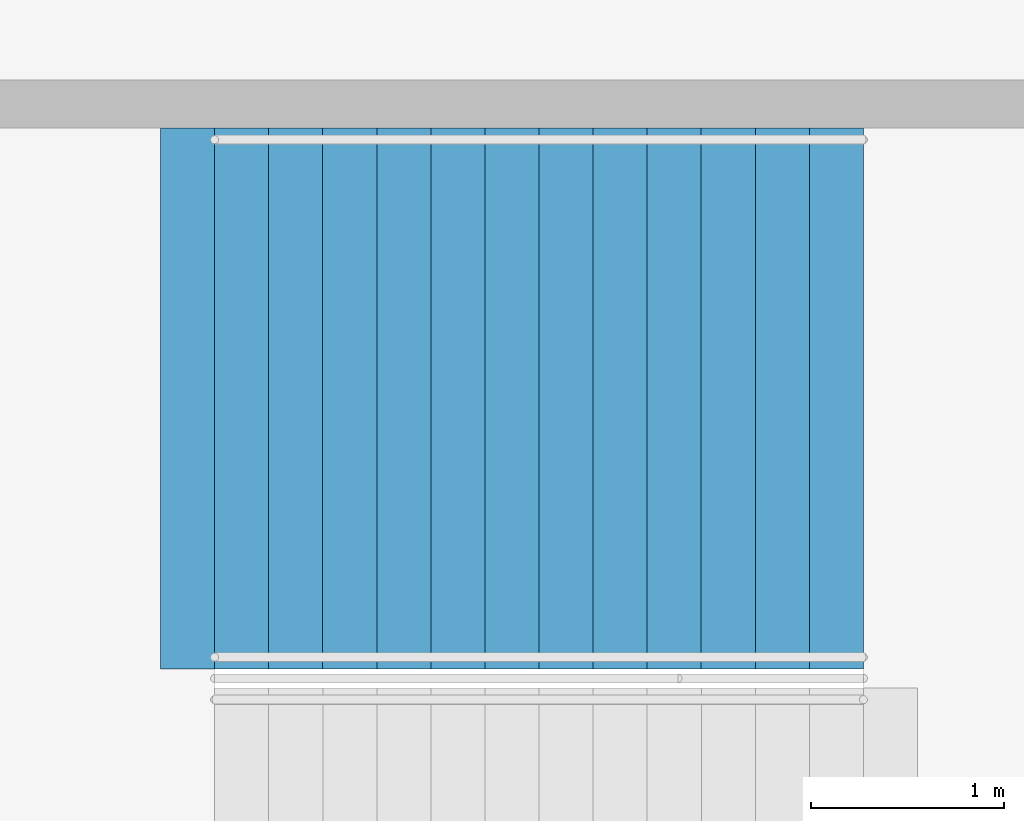
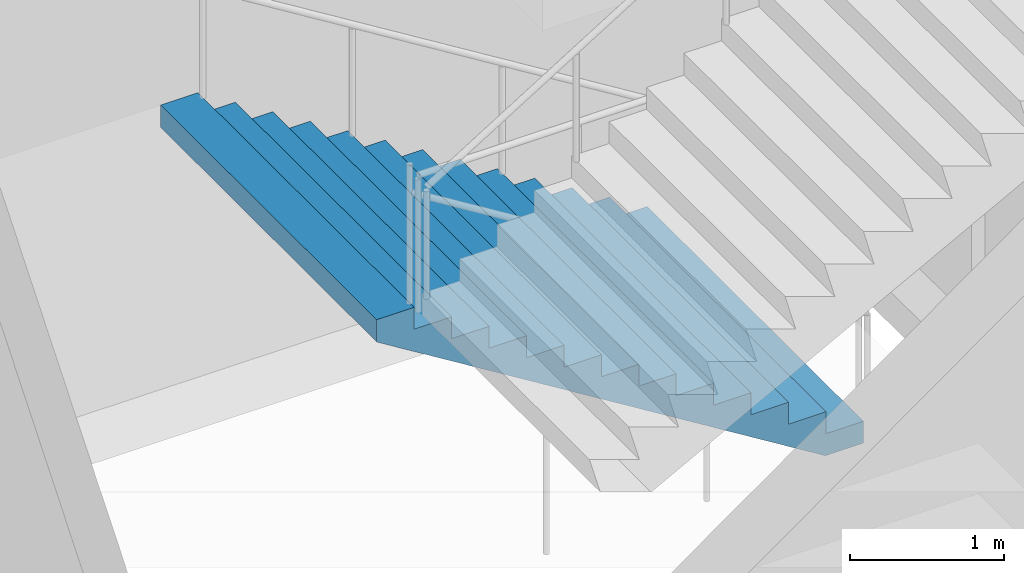
# One storey, part 150 of 199: 1 stair flight, 1 element without a shape of its own.
"""IFC4 building model written with IfcOpenShell, lengths in metres."""

from ifc_helpers import new_model, si_unit, direction, frame, origin, place, context, subcontext, project, spatial, faceted_brep, material, type_object, element, aggregate, save


model = new_model("IFC4")

# Units and contexts
model_context = context("Model", 3, precision=1e-05, world=origin(), true_north=direction((0.0, 1.0)))
body_context = subcontext(model_context, "Body", "Model", "MODEL_VIEW")
ifc_project = project(units=[si_unit("LENGTHUNIT", "METRE"), si_unit("AREAUNIT", "SQUARE_METRE"), si_unit("VOLUMEUNIT", "CUBIC_METRE"), si_unit("PLANEANGLEUNIT", "RADIAN"), si_unit("MASSUNIT", "GRAM", prefix="KILO")], contexts=[model_context])

# Site, building, storey
site_placement = place(None, origin())
site = spatial("IfcSite", under=ifc_project, at=site_placement, CompositionType="ELEMENT")
building_placement = place(site_placement, origin())
building = spatial("IfcBuilding", under=site, at=building_placement, Name="Ogive Plaza Stadium", CompositionType="ELEMENT")
storey_placement = place(building_placement, frame((0.0, 0.0, 9.0)))
storey = spatial("IfcBuildingStorey", under=building, at=storey_placement, Name="L02", CompositionType="ELEMENT", Elevation=9.0)

# Stair, stair flight
ifc_material_1 = material(Name="Concrete C40/50", Category="concrete")
stair_type = type_object("IfcStairType", Name="Exit stair", PredefinedType="STRAIGHT_RUN_STAIR", material=ifc_material_1)
stair_placement = place(storey_placement, origin())
stair = element("IfcStair", 1, at=stair_placement, inside=storey, type_object=stair_type, Name="Exit stair ST26A L02 to L03", PredefinedType="STRAIGHT_RUN_STAIR")
ifc_material_2 = material(Name="Concrete C40/50", Category="concrete")
stair_flight_type = type_object("IfcStairFlightType", Name="Exit stair flight", PredefinedType="STRAIGHT", material=ifc_material_2)
stair_flight_placement = place(storey_placement, frame((-76.35009765625, 26.925048828125, 0.0), z_axis=(0.0, 0.0, 1.0), x_axis=(-1.0, 0.0, 0.0)))
stair_flight = element("IfcStairFlight", 2, at=stair_flight_placement, type_object=stair_flight_type, Name="ST26A flight 1", NumberOfRisers=13, NumberOfTreads=12, PredefinedType="STRAIGHT", RiserHeight=0.173076923, TreadLength=0.28, context=body_context, shape_type="Brep", body=[
    faceted_brep([(0.28515625, -1.39990234375, 0.0), (3.639892578125, -1.39990234375, 2.07373046875), (3.639892578125, -1.39990234375, 2.25), (3.360107421875, -1.39990234375, 2.25), (3.360107421875, -1.39990234375, 2.076904296875), (3.080078125, -1.39990234375, 2.076904296875), (3.080078125, -1.39990234375, 1.90380859375), (2.800048828125, -1.39990234375, 1.90380859375), (2.800048828125, -1.39990234375, 1.730712890625), (2.52001953125, -1.39990234375, 1.730712890625), (2.52001953125, -1.39990234375, 1.5576171875), (2.239990234375, -1.39990234375, 1.5576171875), (2.239990234375, -1.39990234375, 1.384521484375), (1.9599609375, -1.39990234375, 1.384521484375), (1.9599609375, -1.39990234375, 1.21142578125), (1.679931640625, -1.39990234375, 1.21142578125), (1.679931640625, -1.39990234375, 1.03857421875), (1.39990234375, -1.39990234375, 1.03857421875), (1.39990234375, -1.39990234375, 0.865478515625), (1.1201171875, -1.39990234375, 0.865478515625), (1.1201171875, -1.39990234375, 0.6923828125), (0.840087890625, -1.39990234375, 0.6923828125), (0.840087890625, -1.39990234375, 0.519287109375), (0.56005859375, -1.39990234375, 0.519287109375), (0.56005859375, -1.39990234375, 0.34619140625), (0.280029296875, -1.39990234375, 0.34619140625), (0.280029296875, -1.39990234375, 0.173095703125), (0.0, -1.39990234375, 0.173095703125), (0.0, -1.39990234375, 0.0), (0.0, 1.39990234375, 0.0), (0.0, 1.39990234375, 0.173095703125), (0.280029296875, 1.39990234375, 0.173095703125), (0.280029296875, 1.39990234375, 0.34619140625), (0.56005859375, 1.39990234375, 0.34619140625), (0.56005859375, 1.39990234375, 0.519287109375), (0.840087890625, 1.39990234375, 0.519287109375), (0.840087890625, 1.39990234375, 0.6923828125), (1.1201171875, 1.39990234375, 0.6923828125), (1.1201171875, 1.39990234375, 0.865478515625), (1.39990234375, 1.39990234375, 0.865478515625), (1.39990234375, 1.39990234375, 1.03857421875), (1.679931640625, 1.39990234375, 1.03857421875), (1.679931640625, 1.39990234375, 1.21142578125), (1.9599609375, 1.39990234375, 1.21142578125), (1.9599609375, 1.39990234375, 1.384521484375), (2.239990234375, 1.39990234375, 1.384521484375), (2.239990234375, 1.39990234375, 1.5576171875), (2.52001953125, 1.39990234375, 1.5576171875), (2.52001953125, 1.39990234375, 1.730712890625), (2.800048828125, 1.39990234375, 1.730712890625), (2.800048828125, 1.39990234375, 1.90380859375), (3.080078125, 1.39990234375, 1.90380859375), (3.080078125, 1.39990234375, 2.076904296875), (3.360107421875, 1.39990234375, 2.076904296875), (3.360107421875, 1.39990234375, 2.25), (3.639892578125, 1.39990234375, 2.25), (3.639892578125, 1.39990234375, 2.07373046875), (0.28515625, 1.39990234375, 0.0), (0.28515625, -1.0888671875, 0.0), (3.639892578125, -1.0888671875, 2.07373046875), (0.28515625, -0.77783203125, 0.0), (3.639892578125, -0.77783203125, 2.07373046875), (0.28515625, -0.466796875, 0.0), (3.639892578125, -0.466796875, 2.07373046875), (0.28515625, -0.155517578125, 0.0), (3.639892578125, -0.155517578125, 2.07373046875), (0.28515625, 0.155517578125, 0.0), (3.639892578125, 0.155517578125, 2.07373046875), (0.28515625, 0.466796875, 0.0), (3.639892578125, 0.466796875, 2.07373046875), (0.28515625, 0.77783203125, 0.0), (3.639892578125, 0.77783203125, 2.07373046875), (0.28515625, 1.0888671875, 0.0), (3.639892578125, 1.0888671875, 2.07373046875), (3.639892578125, -1.0888671875, 2.25), (3.639892578125, -0.77783203125, 2.25), (3.639892578125, -0.466796875, 2.25), (3.639892578125, -0.155517578125, 2.25), (3.639892578125, 0.155517578125, 2.25), (3.639892578125, 0.466796875, 2.25), (3.639892578125, 0.77783203125, 2.25), (3.639892578125, 1.0888671875, 2.25), (3.360107421875, -1.0888671875, 2.25), (3.360107421875, -0.77783203125, 2.25), (3.360107421875, -0.466796875, 2.25), (3.360107421875, -0.155517578125, 2.25), (3.360107421875, 0.155517578125, 2.25), (3.360107421875, 0.466796875, 2.25), (3.360107421875, 0.77783203125, 2.25), (3.360107421875, 1.0888671875, 2.25), (3.360107421875, -1.0888671875, 2.076904296875), (3.360107421875, -0.77783203125, 2.076904296875), (3.360107421875, -0.466796875, 2.076904296875), (3.360107421875, -0.155517578125, 2.076904296875), (3.360107421875, 0.155517578125, 2.076904296875), (3.360107421875, 0.466796875, 2.076904296875), (3.360107421875, 0.77783203125, 2.076904296875), (3.360107421875, 1.0888671875, 2.076904296875), (3.080078125, -1.0888671875, 2.076904296875), (3.080078125, -0.77783203125, 2.076904296875), (3.080078125, -0.466796875, 2.076904296875), (3.080078125, -0.155517578125, 2.076904296875), (3.080078125, 0.155517578125, 2.076904296875), (3.080078125, 0.466796875, 2.076904296875), (3.080078125, 0.77783203125, 2.076904296875), (3.080078125, 1.0888671875, 2.076904296875), (3.080078125, -1.0888671875, 1.90380859375), (3.080078125, -0.77783203125, 1.90380859375), (3.080078125, -0.466796875, 1.90380859375), (3.080078125, -0.155517578125, 1.90380859375), (3.080078125, 0.155517578125, 1.90380859375), (3.080078125, 0.466796875, 1.90380859375), (3.080078125, 0.77783203125, 1.90380859375), (3.080078125, 1.0888671875, 1.90380859375), (2.800048828125, -1.0888671875, 1.90380859375), (2.800048828125, -0.77783203125, 1.90380859375), (2.800048828125, -0.466796875, 1.90380859375), (2.800048828125, -0.155517578125, 1.90380859375), (2.800048828125, 0.155517578125, 1.90380859375), (2.800048828125, 0.466796875, 1.90380859375), (2.800048828125, 0.77783203125, 1.90380859375), (2.800048828125, 1.0888671875, 1.90380859375), (2.800048828125, -1.0888671875, 1.730712890625), (2.800048828125, -0.77783203125, 1.730712890625), (2.800048828125, -0.466796875, 1.730712890625), (2.800048828125, -0.155517578125, 1.730712890625), (2.800048828125, 0.155517578125, 1.730712890625), (2.800048828125, 0.466796875, 1.730712890625), (2.800048828125, 0.77783203125, 1.730712890625), (2.800048828125, 1.0888671875, 1.730712890625), (2.52001953125, -1.0888671875, 1.730712890625), (2.52001953125, -0.77783203125, 1.730712890625), (2.52001953125, -0.466796875, 1.730712890625), (2.52001953125, -0.155517578125, 1.730712890625), (2.52001953125, 0.155517578125, 1.730712890625), (2.52001953125, 0.466796875, 1.730712890625), (2.52001953125, 0.77783203125, 1.730712890625), (2.52001953125, 1.0888671875, 1.730712890625), (2.52001953125, -1.0888671875, 1.5576171875), (2.52001953125, -0.77783203125, 1.5576171875), (2.52001953125, -0.466796875, 1.5576171875), (2.52001953125, -0.155517578125, 1.5576171875), (2.52001953125, 0.155517578125, 1.5576171875), (2.52001953125, 0.466796875, 1.5576171875), (2.52001953125, 0.77783203125, 1.5576171875), (2.52001953125, 1.0888671875, 1.5576171875), (2.239990234375, -1.0888671875, 1.5576171875), (2.239990234375, -0.77783203125, 1.5576171875), (2.239990234375, -0.466796875, 1.5576171875), (2.239990234375, -0.155517578125, 1.5576171875), (2.239990234375, 0.155517578125, 1.5576171875), (2.239990234375, 0.466796875, 1.5576171875), (2.239990234375, 0.77783203125, 1.5576171875), (2.239990234375, 1.0888671875, 1.5576171875), (2.239990234375, -1.0888671875, 1.384521484375), (2.239990234375, -0.77783203125, 1.384521484375), (2.239990234375, -0.466796875, 1.384521484375), (2.239990234375, -0.155517578125, 1.384521484375), (2.239990234375, 0.155517578125, 1.384521484375), (2.239990234375, 0.466796875, 1.384521484375), (2.239990234375, 0.77783203125, 1.384521484375), (2.239990234375, 1.0888671875, 1.384521484375), (1.9599609375, -1.0888671875, 1.384521484375), (1.9599609375, -0.77783203125, 1.384521484375), (1.9599609375, -0.466796875, 1.384521484375), (1.9599609375, -0.155517578125, 1.384521484375), (1.9599609375, 0.155517578125, 1.384521484375), (1.9599609375, 0.466796875, 1.384521484375), (1.9599609375, 0.77783203125, 1.384521484375), (1.9599609375, 1.0888671875, 1.384521484375), (1.9599609375, -1.0888671875, 1.21142578125), (1.9599609375, -0.77783203125, 1.21142578125), (1.9599609375, -0.466796875, 1.21142578125), (1.9599609375, -0.155517578125, 1.21142578125), (1.9599609375, 0.155517578125, 1.21142578125), (1.9599609375, 0.466796875, 1.21142578125), (1.9599609375, 0.77783203125, 1.21142578125), (1.9599609375, 1.0888671875, 1.21142578125), (1.679931640625, -1.0888671875, 1.21142578125), (1.679931640625, -0.77783203125, 1.21142578125), (1.679931640625, -0.466796875, 1.21142578125), (1.679931640625, -0.155517578125, 1.21142578125), (1.679931640625, 0.155517578125, 1.21142578125), (1.679931640625, 0.466796875, 1.21142578125), (1.679931640625, 0.77783203125, 1.21142578125), (1.679931640625, 1.0888671875, 1.21142578125), (1.679931640625, -1.0888671875, 1.03857421875), (1.679931640625, -0.77783203125, 1.03857421875), (1.679931640625, -0.466796875, 1.03857421875), (1.679931640625, -0.155517578125, 1.03857421875), (1.679931640625, 0.155517578125, 1.03857421875), (1.679931640625, 0.466796875, 1.03857421875), (1.679931640625, 0.77783203125, 1.03857421875), (1.679931640625, 1.0888671875, 1.03857421875), (1.39990234375, -1.0888671875, 1.03857421875), (1.39990234375, -0.77783203125, 1.03857421875), (1.39990234375, -0.466796875, 1.03857421875), (1.39990234375, -0.155517578125, 1.03857421875), (1.39990234375, 0.155517578125, 1.03857421875), (1.39990234375, 0.466796875, 1.03857421875), (1.39990234375, 0.77783203125, 1.03857421875), (1.39990234375, 1.0888671875, 1.03857421875), (1.39990234375, -1.0888671875, 0.865478515625), (1.39990234375, -0.77783203125, 0.865478515625), (1.39990234375, -0.466796875, 0.865478515625), (1.39990234375, -0.155517578125, 0.865478515625), (1.39990234375, 0.155517578125, 0.865478515625), (1.39990234375, 0.466796875, 0.865478515625), (1.39990234375, 0.77783203125, 0.865478515625), (1.39990234375, 1.0888671875, 0.865478515625), (1.1201171875, -1.0888671875, 0.865478515625), (1.1201171875, -0.77783203125, 0.865478515625), (1.1201171875, -0.466796875, 0.865478515625), (1.1201171875, -0.155517578125, 0.865478515625), (1.1201171875, 0.155517578125, 0.865478515625), (1.1201171875, 0.466796875, 0.865478515625), (1.1201171875, 0.77783203125, 0.865478515625), (1.1201171875, 1.0888671875, 0.865478515625), (1.1201171875, -1.0888671875, 0.6923828125), (1.1201171875, -0.77783203125, 0.6923828125), (1.1201171875, -0.466796875, 0.6923828125), (1.1201171875, -0.155517578125, 0.6923828125), (1.1201171875, 0.155517578125, 0.6923828125), (1.1201171875, 0.466796875, 0.6923828125), (1.1201171875, 0.77783203125, 0.6923828125), (1.1201171875, 1.0888671875, 0.6923828125), (0.840087890625, -1.0888671875, 0.6923828125), (0.840087890625, -0.77783203125, 0.6923828125), (0.840087890625, -0.466796875, 0.6923828125), (0.840087890625, -0.155517578125, 0.6923828125), (0.840087890625, 0.155517578125, 0.6923828125), (0.840087890625, 0.466796875, 0.6923828125), (0.840087890625, 0.77783203125, 0.6923828125), (0.840087890625, 1.0888671875, 0.6923828125), (0.840087890625, -1.0888671875, 0.519287109375), (0.840087890625, -0.77783203125, 0.519287109375), (0.840087890625, -0.466796875, 0.519287109375), (0.840087890625, -0.155517578125, 0.519287109375), (0.840087890625, 0.155517578125, 0.519287109375), (0.840087890625, 0.466796875, 0.519287109375), (0.840087890625, 0.77783203125, 0.519287109375), (0.840087890625, 1.0888671875, 0.519287109375), (0.56005859375, -1.0888671875, 0.519287109375), (0.56005859375, -0.77783203125, 0.519287109375), (0.56005859375, -0.466796875, 0.519287109375), (0.56005859375, -0.155517578125, 0.519287109375), (0.56005859375, 0.155517578125, 0.519287109375), (0.56005859375, 0.466796875, 0.519287109375), (0.56005859375, 0.77783203125, 0.519287109375), (0.56005859375, 1.0888671875, 0.519287109375), (0.56005859375, -1.0888671875, 0.34619140625), (0.56005859375, -0.77783203125, 0.34619140625), (0.56005859375, -0.466796875, 0.34619140625), (0.56005859375, -0.155517578125, 0.34619140625), (0.56005859375, 0.155517578125, 0.34619140625), (0.56005859375, 0.466796875, 0.34619140625), (0.56005859375, 0.77783203125, 0.34619140625), (0.56005859375, 1.0888671875, 0.34619140625), (0.280029296875, -1.0888671875, 0.34619140625), (0.280029296875, -0.77783203125, 0.34619140625), (0.280029296875, -0.466796875, 0.34619140625), (0.280029296875, -0.155517578125, 0.34619140625), (0.280029296875, 0.155517578125, 0.34619140625), (0.280029296875, 0.466796875, 0.34619140625), (0.280029296875, 0.77783203125, 0.34619140625), (0.280029296875, 1.0888671875, 0.34619140625), (0.280029296875, -1.0888671875, 0.173095703125), (0.280029296875, -0.77783203125, 0.173095703125), (0.280029296875, -0.466796875, 0.173095703125), (0.280029296875, -0.155517578125, 0.173095703125), (0.280029296875, 0.155517578125, 0.173095703125), (0.280029296875, 0.466796875, 0.173095703125), (0.280029296875, 0.77783203125, 0.173095703125), (0.280029296875, 1.0888671875, 0.173095703125), (0.0, -1.0888671875, 0.173095703125), (0.0, -0.77783203125, 0.173095703125), (0.0, -0.466796875, 0.173095703125), (0.0, -0.155517578125, 0.173095703125), (0.0, 0.155517578125, 0.173095703125), (0.0, 0.466796875, 0.173095703125), (0.0, 0.77783203125, 0.173095703125), (0.0, 1.0888671875, 0.173095703125), (0.0, -1.0888671875, 0.0), (0.0, -0.77783203125, 0.0), (0.0, -0.466796875, 0.0), (0.0, -0.155517578125, 0.0), (0.0, 0.155517578125, 0.0), (0.0, 0.466796875, 0.0), (0.0, 0.77783203125, 0.0), (0.0, 1.0888671875, 0.0)], [[[0, 1, 2, 3, 4, 5, 6, 7, 8, 9, 10, 11, 12, 13, 14, 15, 16, 17, 18, 19, 20, 21, 22, 23, 24, 25, 26, 27, 28]], [[29, 30, 31, 32, 33, 34, 35, 36, 37, 38, 39, 40, 41, 42, 43, 44, 45, 46, 47, 48, 49, 50, 51, 52, 53, 54, 55, 56, 57]], [[0, 58, 59, 1]], [[58, 60, 61, 59]], [[60, 62, 63, 61]], [[62, 64, 65, 63]], [[64, 66, 67, 65]], [[66, 68, 69, 67]], [[68, 70, 71, 69]], [[70, 72, 73, 71]], [[72, 57, 56, 73]], [[1, 59, 74, 2]], [[59, 61, 75, 74]], [[61, 63, 76, 75]], [[63, 65, 77, 76]], [[65, 67, 78, 77]], [[67, 69, 79, 78]], [[69, 71, 80, 79]], [[71, 73, 81, 80]], [[73, 56, 55, 81]], [[2, 74, 82, 3]], [[74, 75, 83, 82]], [[75, 76, 84, 83]], [[76, 77, 85, 84]], [[77, 78, 86, 85]], [[78, 79, 87, 86]], [[79, 80, 88, 87]], [[80, 81, 89, 88]], [[81, 55, 54, 89]], [[3, 82, 90, 4]], [[82, 83, 91, 90]], [[83, 84, 92, 91]], [[84, 85, 93, 92]], [[85, 86, 94, 93]], [[86, 87, 95, 94]], [[87, 88, 96, 95]], [[88, 89, 97, 96]], [[89, 54, 53, 97]], [[4, 90, 98, 5]], [[90, 91, 99, 98]], [[91, 92, 100, 99]], [[92, 93, 101, 100]], [[93, 94, 102, 101]], [[94, 95, 103, 102]], [[95, 96, 104, 103]], [[96, 97, 105, 104]], [[97, 53, 52, 105]], [[5, 98, 106, 6]], [[98, 99, 107, 106]], [[99, 100, 108, 107]], [[100, 101, 109, 108]], [[101, 102, 110, 109]], [[102, 103, 111, 110]], [[103, 104, 112, 111]], [[104, 105, 113, 112]], [[105, 52, 51, 113]], [[6, 106, 114, 7]], [[106, 107, 115, 114]], [[107, 108, 116, 115]], [[108, 109, 117, 116]], [[109, 110, 118, 117]], [[110, 111, 119, 118]], [[111, 112, 120, 119]], [[112, 113, 121, 120]], [[113, 51, 50, 121]], [[7, 114, 122, 8]], [[114, 115, 123, 122]], [[115, 116, 124, 123]], [[116, 117, 125, 124]], [[117, 118, 126, 125]], [[118, 119, 127, 126]], [[119, 120, 128, 127]], [[120, 121, 129, 128]], [[121, 50, 49, 129]], [[8, 122, 130, 9]], [[122, 123, 131, 130]], [[123, 124, 132, 131]], [[124, 125, 133, 132]], [[125, 126, 134, 133]], [[126, 127, 135, 134]], [[127, 128, 136, 135]], [[128, 129, 137, 136]], [[129, 49, 48, 137]], [[9, 130, 138, 10]], [[130, 131, 139, 138]], [[131, 132, 140, 139]], [[132, 133, 141, 140]], [[133, 134, 142, 141]], [[134, 135, 143, 142]], [[135, 136, 144, 143]], [[136, 137, 145, 144]], [[137, 48, 47, 145]], [[10, 138, 146, 11]], [[138, 139, 147, 146]], [[139, 140, 148, 147]], [[140, 141, 149, 148]], [[141, 142, 150, 149]], [[142, 143, 151, 150]], [[143, 144, 152, 151]], [[144, 145, 153, 152]], [[145, 47, 46, 153]], [[11, 146, 154, 12]], [[146, 147, 155, 154]], [[147, 148, 156, 155]], [[148, 149, 157, 156]], [[149, 150, 158, 157]], [[150, 151, 159, 158]], [[151, 152, 160, 159]], [[152, 153, 161, 160]], [[153, 46, 45, 161]], [[12, 154, 162, 13]], [[154, 155, 163, 162]], [[155, 156, 164, 163]], [[156, 157, 165, 164]], [[157, 158, 166, 165]], [[158, 159, 167, 166]], [[159, 160, 168, 167]], [[160, 161, 169, 168]], [[161, 45, 44, 169]], [[13, 162, 170, 14]], [[162, 163, 171, 170]], [[163, 164, 172, 171]], [[164, 165, 173, 172]], [[165, 166, 174, 173]], [[166, 167, 175, 174]], [[167, 168, 176, 175]], [[168, 169, 177, 176]], [[169, 44, 43, 177]], [[14, 170, 178, 15]], [[170, 171, 179, 178]], [[171, 172, 180, 179]], [[172, 173, 181, 180]], [[173, 174, 182, 181]], [[174, 175, 183, 182]], [[175, 176, 184, 183]], [[176, 177, 185, 184]], [[177, 43, 42, 185]], [[15, 178, 186, 16]], [[178, 179, 187, 186]], [[179, 180, 188, 187]], [[180, 181, 189, 188]], [[181, 182, 190, 189]], [[182, 183, 191, 190]], [[183, 184, 192, 191]], [[184, 185, 193, 192]], [[185, 42, 41, 193]], [[16, 186, 194, 17]], [[186, 187, 195, 194]], [[187, 188, 196, 195]], [[188, 189, 197, 196]], [[189, 190, 198, 197]], [[190, 191, 199, 198]], [[191, 192, 200, 199]], [[192, 193, 201, 200]], [[193, 41, 40, 201]], [[17, 194, 202, 18]], [[194, 195, 203, 202]], [[195, 196, 204, 203]], [[196, 197, 205, 204]], [[197, 198, 206, 205]], [[198, 199, 207, 206]], [[199, 200, 208, 207]], [[200, 201, 209, 208]], [[201, 40, 39, 209]], [[18, 202, 210, 19]], [[202, 203, 211, 210]], [[203, 204, 212, 211]], [[204, 205, 213, 212]], [[205, 206, 214, 213]], [[206, 207, 215, 214]], [[207, 208, 216, 215]], [[208, 209, 217, 216]], [[209, 39, 38, 217]], [[19, 210, 218, 20]], [[210, 211, 219, 218]], [[211, 212, 220, 219]], [[212, 213, 221, 220]], [[213, 214, 222, 221]], [[214, 215, 223, 222]], [[215, 216, 224, 223]], [[216, 217, 225, 224]], [[217, 38, 37, 225]], [[20, 218, 226, 21]], [[218, 219, 227, 226]], [[219, 220, 228, 227]], [[220, 221, 229, 228]], [[221, 222, 230, 229]], [[222, 223, 231, 230]], [[223, 224, 232, 231]], [[224, 225, 233, 232]], [[225, 37, 36, 233]], [[21, 226, 234, 22]], [[226, 227, 235, 234]], [[227, 228, 236, 235]], [[228, 229, 237, 236]], [[229, 230, 238, 237]], [[230, 231, 239, 238]], [[231, 232, 240, 239]], [[232, 233, 241, 240]], [[233, 36, 35, 241]], [[22, 234, 242, 23]], [[234, 235, 243, 242]], [[235, 236, 244, 243]], [[236, 237, 245, 244]], [[237, 238, 246, 245]], [[238, 239, 247, 246]], [[239, 240, 248, 247]], [[240, 241, 249, 248]], [[241, 35, 34, 249]], [[23, 242, 250, 24]], [[242, 243, 251, 250]], [[243, 244, 252, 251]], [[244, 245, 253, 252]], [[245, 246, 254, 253]], [[246, 247, 255, 254]], [[247, 248, 256, 255]], [[248, 249, 257, 256]], [[249, 34, 33, 257]], [[24, 250, 258, 25]], [[250, 251, 259, 258]], [[251, 252, 260, 259]], [[252, 253, 261, 260]], [[253, 254, 262, 261]], [[254, 255, 263, 262]], [[255, 256, 264, 263]], [[256, 257, 265, 264]], [[257, 33, 32, 265]], [[25, 258, 266, 26]], [[258, 259, 267, 266]], [[259, 260, 268, 267]], [[260, 261, 269, 268]], [[261, 262, 270, 269]], [[262, 263, 271, 270]], [[263, 264, 272, 271]], [[264, 265, 273, 272]], [[265, 32, 31, 273]], [[26, 266, 274, 27]], [[266, 267, 275, 274]], [[267, 268, 276, 275]], [[268, 269, 277, 276]], [[269, 270, 278, 277]], [[270, 271, 279, 278]], [[271, 272, 280, 279]], [[272, 273, 281, 280]], [[273, 31, 30, 281]], [[27, 274, 282, 28]], [[274, 275, 283, 282]], [[275, 276, 284, 283]], [[276, 277, 285, 284]], [[277, 278, 286, 285]], [[278, 279, 287, 286]], [[279, 280, 288, 287]], [[280, 281, 289, 288]], [[281, 30, 29, 289]], [[28, 282, 58, 0]], [[282, 283, 60, 58]], [[283, 284, 62, 60]], [[284, 285, 64, 62]], [[285, 286, 66, 64]], [[286, 287, 68, 66]], [[287, 288, 70, 68]], [[288, 289, 72, 70]], [[289, 29, 57, 72]]]),
])
aggregate(stair, [stair_flight])

save(model, "model.ifc")
